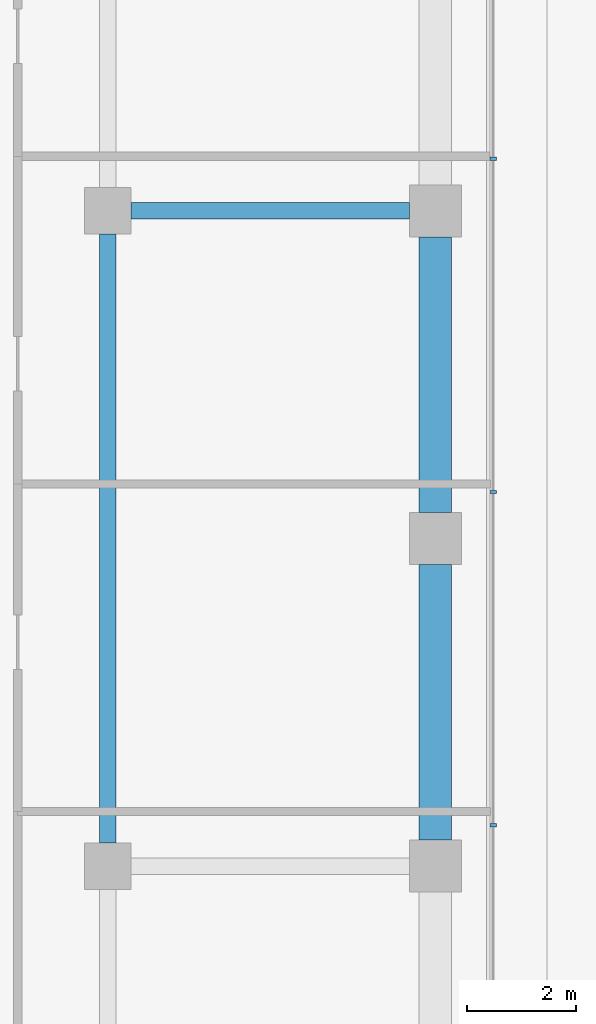
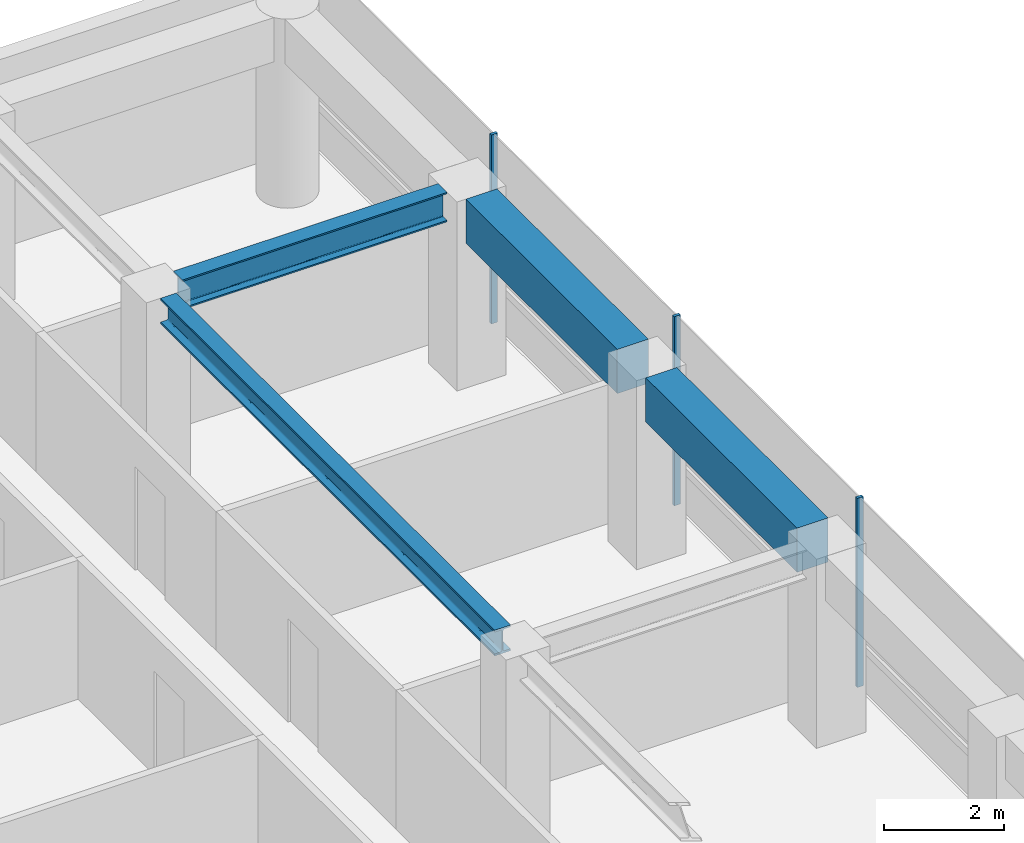
# One storey, part 18 of 28: 4 beams, 3 members, 1 element without a shape of its own.
"""IFC4 building model written with IfcOpenShell, lengths in metres."""

from ifc_helpers import new_model, si_unit, direction, frame, origin, origin_2d, place, context, subcontext, project, spatial, rectangle, i_section, extrude, material, layer, layer_set, material_profile, profile_set, type_object, element, aggregate, save


model = new_model("IFC4")

# Units and contexts
model_context = context("Model", 3, precision=1e-05, world=origin(), true_north=direction((0.0, 1.0)))
body_context = subcontext(model_context, "Body", "Model", "MODEL_VIEW")
ifc_project = project(units=[si_unit("LENGTHUNIT", "METRE"), si_unit("AREAUNIT", "SQUARE_METRE"), si_unit("VOLUMEUNIT", "CUBIC_METRE"), si_unit("PLANEANGLEUNIT", "RADIAN"), si_unit("MASSUNIT", "GRAM", prefix="KILO")], contexts=[model_context])

# Site, building, storey
site_placement = place(None, origin())
site = spatial("IfcSite", under=ifc_project, at=site_placement, CompositionType="ELEMENT")
building_placement = place(site_placement, origin())
building = spatial("IfcBuilding", under=site, at=building_placement, Name="Welwitschia Terrace Campus", CompositionType="ELEMENT")
storey_placement = place(building_placement, frame((0.0, 0.0, 71.0)))
storey = spatial("IfcBuildingStorey", under=building, at=storey_placement, Name="L16", CompositionType="ELEMENT", Elevation=71.0)

# Beam
ifc_material_1 = material(Name="Steel S355", Category="steel")
ifc_material_profile_1 = material_profile(ifc_material_1, i_section(OverallWidth=0.305908203125, OverallDepth=0.52392578125, WebThickness=0.02099609375, FlangeThickness=0.0400390625, FilletRadius=0.027099609375, at=origin_2d()))
ifc_profile_set_1 = profile_set([ifc_material_profile_1], Name="Steel S355")
beam_type_1 = type_object("IfcBeamType", Name="Interior girder HE 500 M", PredefinedType="BEAM", material=ifc_profile_set_1)
beam_1_placement = place(storey_placement, frame((18.0, 44.425537109375, 3.587890625), z_axis=(0.0, 1.0, 0.0), x_axis=(-1.0, 0.0, 0.0)))
element("IfcBeam", 1, at=beam_1_placement, inside=storey, type_object=beam_type_1, Name="Girder GB2", PredefinedType="BEAM", context=body_context, shape_type="SweptSolid", body=[
    extrude(i_section(OverallWidth=0.305908203125, OverallDepth=0.52392578125, WebThickness=0.02099609375, FlangeThickness=0.0400390625, FilletRadius=0.027099609375, at=origin_2d()), origin(), (0.0, 0.0, 1.0), 11.14892578125),
])

# Curtain wall, members
ifc_material_2 = material(Name="Bronze anodised aluminium", Category="aluminium")
ifc_layer = layer(ifc_material_2, 0.1201171875)
ifc_layer_set = layer_set([ifc_layer], Name="Bronze anodised aluminium")
curtain_wall_type = type_object("IfcCurtainWallType", Name="Curtain wall CW2 tower 6000", PredefinedType="NOTDEFINED", material=ifc_layer_set)
curtain_wall_placement = place(storey_placement, origin())
curtain_wall = element("IfcCurtainWall", 2, at=curtain_wall_placement, inside=storey, type_object=curtain_wall_type, Name="CW L16.14.0", PredefinedType="NOTDEFINED")
ifc_material_3 = material(Name="Bronze anodised aluminium", Category="aluminium")
ifc_material_profile_2 = material_profile(ifc_material_3, rectangle(XDim=0.1201171875, YDim=0.06005859375, at=origin_2d()))
ifc_profile_set_2 = profile_set([ifc_material_profile_2], Name="Bronze anodised aluminium")
member_type = type_object("IfcMemberType", Name="Mullion 60x120", PredefinedType="MULLION", material=ifc_profile_set_2)
member_1_placement = place(storey_placement, frame((25.05810546875, 44.748046875, 0.0), z_axis=(0.0, 0.0, 1.0), x_axis=(-1.0, 0.0, 0.0)))
member_1 = element("IfcMember", 3, at=member_1_placement, type_object=member_type, Name="Mullion L16.14.0.3", PredefinedType="MULLION", context=body_context, shape_type="SweptSolid", body=[
    extrude(rectangle(XDim=0.1201171875, YDim=0.06005859375, at=origin_2d()), origin(), (0.0, 0.0, 1.0), 3.85009765625),
])
member_2_placement = place(storey_placement, frame((25.05810546875, 50.851318359375, 0.0), z_axis=(0.0, 0.0, 1.0), x_axis=(-1.0, 0.0, 0.0)))
member_2 = element("IfcMember", 4, at=member_2_placement, type_object=member_type, Name="Mullion L16.14.0.4", PredefinedType="MULLION", context=body_context, shape_type="SweptSolid", body=[
    extrude(rectangle(XDim=0.1201171875, YDim=0.06005859375, at=origin_2d()), origin(), (0.0, 0.0, 1.0), 3.85009765625),
])
member_3_placement = place(storey_placement, frame((25.05810546875, 56.95458984375, 0.0), z_axis=(0.0, 0.0, 1.0), x_axis=(-1.0, 0.0, 0.0)))
member_3 = element("IfcMember", 5, at=member_3_placement, type_object=member_type, Name="Mullion L16.14.0.5", PredefinedType="MULLION", context=body_context, shape_type="SweptSolid", body=[
    extrude(rectangle(XDim=0.1201171875, YDim=0.06005859375, at=origin_2d()), origin(), (0.0, 0.0, 1.0), 3.85009765625),
])
aggregate(curtain_wall, [member_1, member_2, member_3])

# Beams
ifc_material_4 = material(Name="Steel S355", Category="steel")
ifc_material_profile_3 = material_profile(ifc_material_4, i_section(OverallWidth=0.300048828125, OverallDepth=0.60009765625, WebThickness=0.015380859375, FlangeThickness=0.030029296875, FilletRadius=0.027099609375, at=origin_2d()))
ifc_profile_set_3 = profile_set([ifc_material_profile_3], Name="Steel S355")
beam_type_2 = type_object("IfcBeamType", Name="Primary beam HE 600 B", PredefinedType="BEAM", material=ifc_profile_set_3)
beam_2_placement = place(storey_placement, frame((23.5244140625, 56.0, 3.550048828125), z_axis=(-1.0, 0.0, 0.0), x_axis=(0.0, -1.0, 0.0)))
element("IfcBeam", 6, at=beam_2_placement, inside=storey, type_object=beam_type_2, Name="Primary beam PB2", PredefinedType="BEAM", context=body_context, shape_type="SweptSolid", body=[
    extrude(i_section(OverallWidth=0.300048828125, OverallDepth=0.60009765625, WebThickness=0.015380859375, FlangeThickness=0.030029296875, FilletRadius=0.027099609375, at=origin_2d()), origin(), (0.0, 0.0, 1.0), 5.098876953125),
])
ifc_material_5 = material(Name="Concrete C60/75", Category="concrete")
ifc_material_profile_4 = material_profile(ifc_material_5, rectangle(XDim=0.60009765625, YDim=0.89990234375, at=origin_2d()))
ifc_profile_set_4 = profile_set([ifc_material_profile_4], Name="Concrete C60/75")
beam_type_3 = type_object("IfcBeamType", Name="Ring spandrel 600x900", PredefinedType="SPANDREL", material=ifc_profile_set_4)
for number, where, z_axis, x_axis, name in (
    (7, (24.0, 44.4755859375, 3.39990234375), (0.0, 1.0, 0.0), (-1.0, 0.0, 0.0), "Spandrel SP2"),
    (8, (24.0, 50.4755859375, 3.39990234375), (0.0, 1.0, 0.0), (-1.0, 0.0, 0.0), "Spandrel SP2"),
):
    element("IfcBeam", number, at=place(storey_placement, frame(where, z_axis=z_axis, x_axis=x_axis)), inside=storey, type_object=beam_type_3, Name=name, PredefinedType="SPANDREL", context=body_context, shape_type="SweptSolid", body=[
        extrude(rectangle(XDim=0.60009765625, YDim=0.89990234375, at=origin_2d()), origin(), (0.0, 0.0, 1.0), 5.048828125),
    ])

save(model, "model.ifc")
